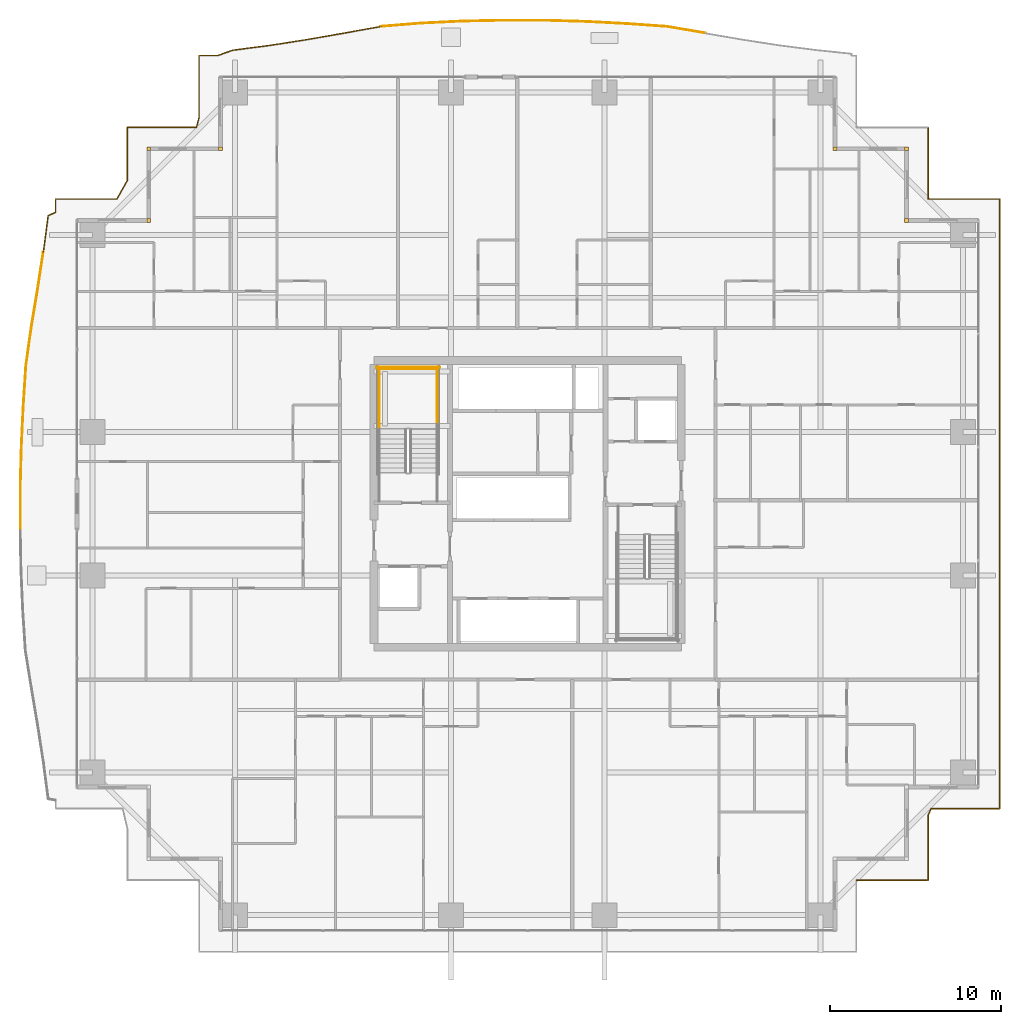
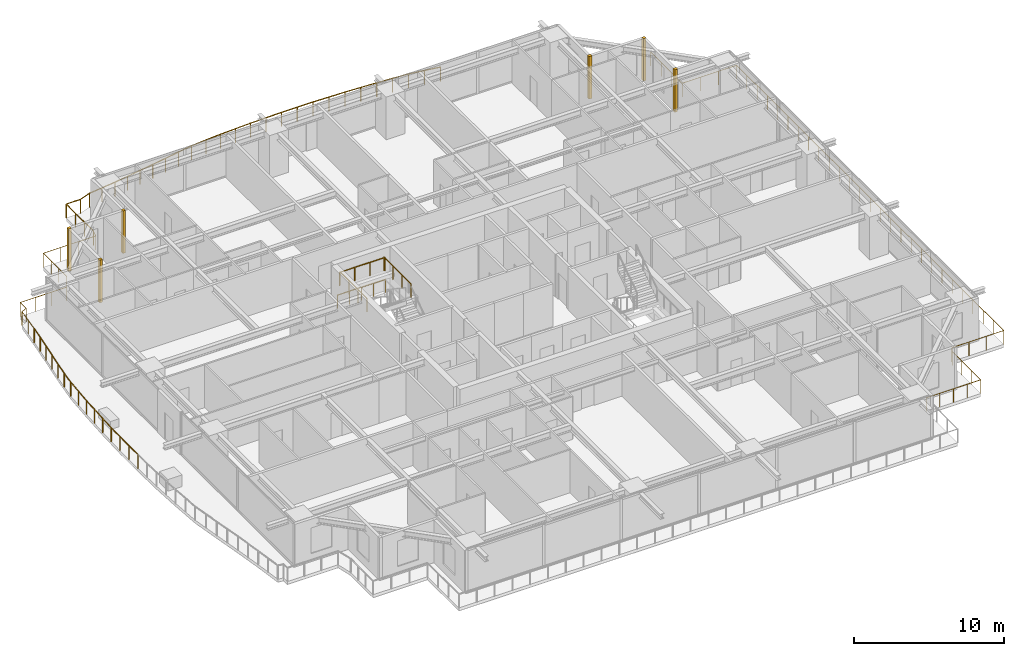
# One storey, part 33 of 34: 9 railings, 6 coverings.
"""IFC4 building model written with IfcOpenShell, lengths in metres."""

from ifc_helpers import new_model, si_unit, direction, frame, origin, origin_2d, place, context, subcontext, project, spatial, rectangle, circle, extrude, source, transform, mapped, material, layer, layer_set, type_object, element, save


model = new_model("IFC4")

# Units and contexts
model_context = context("Model", 3, precision=1e-05, world=origin(), true_north=direction((0.0, 1.0)))
body_context = subcontext(model_context, "Body", "Model", "MODEL_VIEW")
ifc_project = project(units=[si_unit("LENGTHUNIT", "METRE"), si_unit("AREAUNIT", "SQUARE_METRE"), si_unit("VOLUMEUNIT", "CUBIC_METRE"), si_unit("PLANEANGLEUNIT", "RADIAN"), si_unit("MASSUNIT", "GRAM", prefix="KILO")], contexts=[model_context])

# Site, building, storey
site_placement = place(None, origin())
site = spatial("IfcSite", under=ifc_project, at=site_placement, CompositionType="ELEMENT")
building_placement = place(site_placement, origin())
building = spatial("IfcBuilding", under=site, at=building_placement, Name="Serunith Strait Residences", CompositionType="ELEMENT")
storey_placement = place(building_placement, frame((0.0, 0.0, 101.699951171875)))
storey = spatial("IfcBuildingStorey", under=building, at=storey_placement, Name="L25", CompositionType="ELEMENT", Elevation=101.699951171875)

# Railings
ifc_material_1 = material(Name="Stainless Steel & Laminated Glass Balustrade", Category="steel")
railing_type_1 = type_object("IfcRailingType", Name="RLG-BALC-1150", PredefinedType="BALUSTRADE", material=ifc_material_1)
railing_1_placement = place(storey_placement, frame((2.679931640625, 23.764404296875, -0.050048828125)))
element("IfcRailing", 1, at=railing_1_placement, inside=storey, type_object=railing_type_1, Name="L25 Swirling Balcony Perimeter Balustrade 2", PredefinedType="BALUSTRADE", context=body_context, shape_type="SweptSolid", body=[
    extrude(circle(Radius=0.02392578125, at=origin_2d()), frame((0.0, 0.001953125, 1.1259765625), z_axis=(0.0, 1.0, 0.0), x_axis=(-1.0, 0.0, 0.0)), (0.0, 0.0, 1.0), 2.407470703125),
    extrude(circle(Radius=0.02392578125, at=origin_2d()), frame((0.0, 2.413330078125, 1.1259765625), z_axis=(0.026194543056, 0.999656864086, 0.0), x_axis=(-0.999656864086, 0.026194543056, 0.0)), (0.0, 0.0, 1.0), 2.400634765625),
    extrude(circle(Radius=0.02392578125, at=origin_2d()), frame((0.06298828125, 4.817138671875, 1.1259765625), z_axis=(0.047365867701, 0.998877607406, 0.0), x_axis=(-0.998877607406, 0.047365867701, 0.0)), (0.0, 0.0, 1.0), 2.382568359375),
    extrude(circle(Radius=0.02392578125, at=origin_2d()), frame((0.17626953125, 7.200927734375, 1.1259765625), z_axis=(0.064252649572, 0.997933663639, 0.0), x_axis=(-0.997933663639, 0.064252649572, 0.0)), (0.0, 0.0, 1.0), 2.355712890625),
    extrude(circle(Radius=0.02392578125, at=origin_2d()), frame((0.327880859375, 9.5556640625, 1.1259765625), z_axis=(0.139825900723, 0.99017610428, 0.0), x_axis=(-0.99017610428, 0.139825900723, 0.0)), (0.0, 0.0, 1.0), 2.28857421875),
    extrude(circle(Radius=0.02392578125, at=origin_2d()), frame((0.6484375, 11.82568359375, 1.1259765625), z_axis=(0.163777184622, 0.986497356204, 0.0), x_axis=(-0.986497356204, 0.163777184622, 0.0)), (0.0, 0.0, 1.0), 2.224609375),
    extrude(circle(Radius=0.02392578125, at=origin_2d()), frame((1.013427734375, 14.024169921875, 1.1259765625), z_axis=(0.150434867674, 0.988619922209, 0.0), x_axis=(-0.988619922209, 0.150434867674, 0.0)), (0.0, 0.0, 1.0), 2.1787109375),
    extrude(circle(Radius=0.02099609375, at=origin_2d()), origin(), (0.0, 0.0, 1.0), 1.099853515625),
    extrude(circle(Radius=0.02099609375, at=origin_2d()), frame((0.0, 1.20556640625, 0.0)), (0.0, 0.0, 1.0), 1.099853515625),
    extrude(circle(Radius=0.02099609375, at=origin_2d()), frame((0.0, 2.411376953125, 0.0)), (0.0, 0.0, 1.0), 1.099853515625),
    extrude(circle(Radius=0.02099609375, at=origin_2d()), frame((0.031494140625, 3.61328125, 0.0)), (0.0, 0.0, 1.0), 1.099853515625),
    extrude(circle(Radius=0.02099609375, at=origin_2d()), frame((0.06298828125, 4.815185546875, 0.0)), (0.0, 0.0, 1.0), 1.099853515625),
    extrude(circle(Radius=0.02099609375, at=origin_2d()), frame((0.11962890625, 6.007080078125, 0.0)), (0.0, 0.0, 1.0), 1.099853515625),
    extrude(circle(Radius=0.02099609375, at=origin_2d()), frame((0.176025390625, 7.198974609375, 0.0)), (0.0, 0.0, 1.0), 1.099853515625),
    extrude(circle(Radius=0.02099609375, at=origin_2d()), frame((0.251953125, 8.37646484375, 0.0)), (0.0, 0.0, 1.0), 1.099853515625),
    extrude(circle(Radius=0.02099609375, at=origin_2d()), frame((0.32763671875, 9.5537109375, 0.0)), (0.0, 0.0, 1.0), 1.099853515625),
    extrude(circle(Radius=0.02099609375, at=origin_2d()), frame((0.48779296875, 10.688720703125, 0.0)), (0.0, 0.0, 1.0), 1.099853515625),
    extrude(circle(Radius=0.02099609375, at=origin_2d()), frame((0.648193359375, 11.82373046875, 0.0)), (0.0, 0.0, 1.0), 1.099853515625),
    extrude(circle(Radius=0.02099609375, at=origin_2d()), frame((0.83056640625, 12.9228515625, 0.0)), (0.0, 0.0, 1.0), 1.099853515625),
    extrude(circle(Radius=0.02099609375, at=origin_2d()), frame((1.01318359375, 14.022216796875, 0.0)), (0.0, 0.0, 1.0), 1.099853515625),
    extrude(circle(Radius=0.02099609375, at=origin_2d()), frame((1.17724609375, 15.10107421875, 0.0)), (0.0, 0.0, 1.0), 1.099853515625),
    extrude(circle(Radius=0.02099609375, at=origin_2d()), frame((1.341552734375, 16.18017578125, 0.0)), (0.0, 0.0, 1.0), 1.099853515625),
])
railing_2_placement = place(storey_placement, frame((4.021484375, 39.944580078125, -0.050048828125)))
element("IfcRailing", 2, at=railing_2_placement, inside=storey, type_object=railing_type_1, Name="L25 Swirling Balcony Perimeter Balustrade 3", PredefinedType="BALUSTRADE", context=body_context, shape_type="SweptSolid", body=[
    extrude(circle(Radius=0.02392578125, at=origin_2d()), frame((0.000244140625, 0.001953125, 1.1259765625), z_axis=(0.129979199506, 0.991516720835, 0.0), x_axis=(-0.991516720835, 0.129979199506, 0.0)), (0.0, 0.0, 1.0), 2.1484375),
    extrude(circle(Radius=0.02392578125, at=origin_2d()), frame((0.281494140625, 2.135009765625, 1.1259765625), z_axis=(0.90860943569, 0.417646852465, 0.0), x_axis=(-0.417646852465, 0.90860943569, 0.0)), (0.0, 0.0, 1.0), 0.478759765625),
    extrude(circle(Radius=0.02392578125, at=origin_2d()), frame((0.718505859375, 2.337890625, 1.1259765625), z_axis=(0.0, 1.0, 0.0), x_axis=(-1.0, 0.0, 0.0)), (0.0, 0.0, 1.0), 0.775634765625),
    extrude(circle(Radius=0.02392578125, at=origin_2d()), frame((0.720458984375, 3.115478515625, 1.1259765625), z_axis=(1.0, 0.0, 0.0), x_axis=(0.0, 1.0, 0.0)), (0.0, 0.0, 1.0), 3.5859375),
    extrude(circle(Radius=0.02392578125, at=origin_2d()), frame((4.309326171875, 3.1171875, 1.1259765625), z_axis=(0.493944884084, 0.86949321532, 0.0), x_axis=(-0.86949321532, 0.493944884084, 0.0)), (0.0, 0.0, 1.0), 1.231201171875),
    extrude(circle(Radius=0.02392578125, at=origin_2d()), frame((4.91845703125, 4.19140625, 1.1259765625), z_axis=(0.0, 1.0, 0.0), x_axis=(-1.0, 0.0, 0.0)), (0.0, 0.0, 1.0), 3.1220703125),
    extrude(circle(Radius=0.02392578125, at=origin_2d()), frame((4.92041015625, 7.3154296875, 1.1259765625), z_axis=(1.0, 0.0, 0.0), x_axis=(0.0, 1.0, 0.0)), (0.0, 0.0, 1.0), 4.049560546875),
    extrude(circle(Radius=0.02392578125, at=origin_2d()), frame((8.972412109375, 7.3173828125, 1.1259765625), z_axis=(0.254806843547, 0.96699197126, 0.0), x_axis=(-0.96699197126, 0.254806843547, 0.0)), (0.0, 0.0, 1.0), 0.57080078125),
    extrude(circle(Radius=0.02099609375, at=origin_2d()), origin(), (0.0, 0.0, 1.0), 1.099853515625),
    extrude(circle(Radius=0.02099609375, at=origin_2d()), frame((0.139892578125, 1.067138671875, 0.0)), (0.0, 0.0, 1.0), 1.099853515625),
    extrude(circle(Radius=0.02099609375, at=origin_2d()), frame((0.27978515625, 2.13427734375, 0.0)), (0.0, 0.0, 1.0), 1.099853515625),
    extrude(circle(Radius=0.02099609375, at=origin_2d()), frame((0.718505859375, 2.3359375, 0.0)), (0.0, 0.0, 1.0), 1.099853515625),
    extrude(circle(Radius=0.02099609375, at=origin_2d()), frame((0.718505859375, 3.115478515625, 0.0)), (0.0, 0.0, 1.0), 1.099853515625),
    extrude(circle(Radius=0.02099609375, at=origin_2d()), frame((1.9150390625, 3.115478515625, 0.0)), (0.0, 0.0, 1.0), 1.099853515625),
    extrude(circle(Radius=0.02099609375, at=origin_2d()), frame((3.11181640625, 3.115478515625, 0.0)), (0.0, 0.0, 1.0), 1.099853515625),
    extrude(circle(Radius=0.02099609375, at=origin_2d()), frame((4.308349609375, 3.115478515625, 0.0)), (0.0, 0.0, 1.0), 1.099853515625),
    extrude(circle(Radius=0.02099609375, at=origin_2d()), frame((4.91845703125, 4.189453125, 0.0)), (0.0, 0.0, 1.0), 1.099853515625),
    extrude(circle(Radius=0.02099609375, at=origin_2d()), frame((4.91845703125, 5.2314453125, 0.0)), (0.0, 0.0, 1.0), 1.099853515625),
    extrude(circle(Radius=0.02099609375, at=origin_2d()), frame((4.91845703125, 6.2734375, 0.0)), (0.0, 0.0, 1.0), 1.099853515625),
    extrude(circle(Radius=0.02099609375, at=origin_2d()), frame((4.91845703125, 7.3154296875, 0.0)), (0.0, 0.0, 1.0), 1.099853515625),
    extrude(circle(Radius=0.02099609375, at=origin_2d()), frame((6.26953125, 7.3154296875, 0.0)), (0.0, 0.0, 1.0), 1.099853515625),
    extrude(circle(Radius=0.02099609375, at=origin_2d()), frame((7.620849609375, 7.3154296875, 0.0)), (0.0, 0.0, 1.0), 1.099853515625),
    extrude(circle(Radius=0.02099609375, at=origin_2d()), frame((8.971923828125, 7.3154296875, 0.0)), (0.0, 0.0, 1.0), 1.099853515625),
    extrude(circle(Radius=0.02099609375, at=origin_2d()), frame((9.118408203125, 7.871337890625, 0.0)), (0.0, 0.0, 1.0), 1.099853515625),
])
railing_3_placement = place(storey_placement, frame((13.139892578125, 47.81591796875, -0.050048828125)))
element("IfcRailing", 3, at=railing_3_placement, inside=storey, type_object=railing_type_1, Name="L25 Swirling Balcony Perimeter Balustrade 4", PredefinedType="BALUSTRADE", context=body_context, shape_type="SweptSolid", body=[
    extrude(circle(Radius=0.02392578125, at=origin_2d()), frame((0.0, 0.001953125, 1.1259765625), z_axis=(0.0, 1.0, 0.0), x_axis=(-1.0, 0.0, 0.0)), (0.0, 0.0, 1.0), 3.64013671875),
    extrude(circle(Radius=0.02392578125, at=origin_2d()), frame((0.001953125, 3.64404296875, 1.1259765625), z_axis=(1.0, 0.0, 0.0), x_axis=(0.0, 1.0, 0.0)), (0.0, 0.0, 1.0), 1.09228515625),
    extrude(circle(Radius=0.02392578125, at=origin_2d()), frame((1.09814453125, 3.644775390625, 1.1259765625), z_axis=(0.940605267412, 0.339502181019, 0.0), x_axis=(-0.339502181019, 0.940605267412, 0.0)), (0.0, 0.0, 1.0), 0.923583984375),
    extrude(circle(Radius=0.02392578125, at=origin_2d()), frame((1.970703125, 3.959228515625, 1.1259765625), z_axis=(0.99175308382, 0.128163258128, 0.0), x_axis=(-0.128163258128, 0.99175308382, 0.0)), (0.0, 0.0, 1.0), 2.13525390625),
    extrude(circle(Radius=0.02392578125, at=origin_2d()), frame((4.09228515625, 4.2333984375, 1.1259765625), z_axis=(0.988168898072, 0.153369582652, 0.0), x_axis=(-0.153369582652, 0.988168898072, 0.0)), (0.0, 0.0, 1.0), 2.16259765625),
    extrude(circle(Radius=0.02392578125, at=origin_2d()), frame((6.233154296875, 4.565673828125, 1.1259765625), z_axis=(0.985099739557, 0.171984019972, 0.0), x_axis=(-0.171984019972, 0.985099739557, 0.0)), (0.0, 0.0, 1.0), 2.207763671875),
    extrude(circle(Radius=0.02392578125, at=origin_2d()), frame((8.411865234375, 4.946044921875, 1.1259765625), z_axis=(0.984230477624, 0.176890833331, 0.0), x_axis=(-0.176890833331, 0.984230477624, 0.0)), (0.0, 0.0, 1.0), 2.26904296875),
    extrude(circle(Radius=0.02099609375, at=origin_2d()), origin(), (0.0, 0.0, 1.0), 1.099853515625),
    extrude(circle(Radius=0.02099609375, at=origin_2d()), frame((0.0, 1.214599609375, 0.0)), (0.0, 0.0, 1.0), 1.099853515625),
    extrude(circle(Radius=0.02099609375, at=origin_2d()), frame((0.0, 2.429443359375, 0.0)), (0.0, 0.0, 1.0), 1.099853515625),
    extrude(circle(Radius=0.02099609375, at=origin_2d()), frame((0.0, 3.64404296875, 0.0)), (0.0, 0.0, 1.0), 1.099853515625),
    extrude(circle(Radius=0.02099609375, at=origin_2d()), frame((1.09619140625, 3.64404296875, 0.0)), (0.0, 0.0, 1.0), 1.099853515625),
    extrude(circle(Radius=0.02099609375, at=origin_2d()), frame((1.96875, 3.958984375, 0.0)), (0.0, 0.0, 1.0), 1.099853515625),
    extrude(circle(Radius=0.02099609375, at=origin_2d()), frame((3.029541015625, 4.09619140625, 0.0)), (0.0, 0.0, 1.0), 1.099853515625),
    extrude(circle(Radius=0.02099609375, at=origin_2d()), frame((4.09033203125, 4.233154296875, 0.0)), (0.0, 0.0, 1.0), 1.099853515625),
    extrude(circle(Radius=0.02099609375, at=origin_2d()), frame((5.16064453125, 4.3994140625, 0.0)), (0.0, 0.0, 1.0), 1.099853515625),
    extrude(circle(Radius=0.02099609375, at=origin_2d()), frame((6.231201171875, 4.5654296875, 0.0)), (0.0, 0.0, 1.0), 1.099853515625),
    extrude(circle(Radius=0.02099609375, at=origin_2d()), frame((7.320556640625, 4.755615234375, 0.0)), (0.0, 0.0, 1.0), 1.099853515625),
    extrude(circle(Radius=0.02099609375, at=origin_2d()), frame((8.409912109375, 4.94580078125, 0.0)), (0.0, 0.0, 1.0), 1.099853515625),
    extrude(circle(Radius=0.02099609375, at=origin_2d()), frame((9.528564453125, 5.14697265625, 0.0)), (0.0, 0.0, 1.0), 1.099853515625),
    extrude(circle(Radius=0.02099609375, at=origin_2d()), frame((10.647216796875, 5.347900390625, 0.0)), (0.0, 0.0, 1.0), 1.099853515625),
])
railing_4_placement = place(storey_placement, frame((23.787109375, 53.163818359375, -0.050048828125)))
element("IfcRailing", 4, at=railing_4_placement, inside=storey, type_object=railing_type_1, Name="L25 Swirling Balcony Perimeter Balustrade 5", PredefinedType="BALUSTRADE", context=body_context, shape_type="SweptSolid", body=[
    extrude(circle(Radius=0.02392578125, at=origin_2d()), frame((0.001953125, 0.000244140625, 1.1259765625), z_axis=(0.996783968123, 0.080135640591, 0.0), x_axis=(-0.080135640591, 0.996783968123, 0.0)), (0.0, 0.0, 1.0), 2.357177734375),
    extrude(circle(Radius=0.02392578125, at=origin_2d()), frame((2.35546875, 0.189208984375, 1.1259765625), z_axis=(0.998810780045, 0.048754750193, 0.0), x_axis=(-0.048754750193, 0.998810780045, 0.0)), (0.0, 0.0, 1.0), 2.39453125),
    extrude(circle(Radius=0.02392578125, at=origin_2d()), frame((4.751220703125, 0.30615234375, 1.1259765625), z_axis=(0.999786023382, 0.02068592398, 0.0), x_axis=(-0.02068592398, 0.999786023382, 0.0)), (0.0, 0.0, 1.0), 2.41552734375),
    extrude(circle(Radius=0.02392578125, at=origin_2d()), frame((7.170166015625, 0.356201171875, 1.1259765625), z_axis=(1.0, 0.0, 0.0), x_axis=(0.0, 1.0, 0.0)), (0.0, 0.0, 1.0), 2.422607421875),
    extrude(circle(Radius=0.02392578125, at=origin_2d()), frame((9.5966796875, 0.356201171875, 1.1259765625), z_axis=(0.999580227069, -0.028971876911, 0.0), x_axis=(0.028971876911, 0.999580227069, 0.0)), (0.0, 0.0, 1.0), 2.41455078125),
    extrude(circle(Radius=0.02392578125, at=origin_2d()), frame((12.01416015625, 0.2861328125, 1.1259765625), z_axis=(0.99865609524, -0.051826667259, 0.0), x_axis=(0.051826667259, 0.99865609524, 0.0)), (0.0, 0.0, 1.0), 2.393798828125),
    extrude(circle(Radius=0.02392578125, at=origin_2d()), frame((14.40869140625, 0.16162109375, 1.1259765625), z_axis=(0.997559254514, -0.069825022261, 0.0), x_axis=(0.069825022261, 0.997559254514, 0.0)), (0.0, 0.0, 1.0), 2.363037109375),
    extrude(circle(Radius=0.02392578125, at=origin_2d()), frame((16.77001953125, -0.003662109375, 1.1259765625), z_axis=(0.986009826898, -0.166687195851, 0.0), x_axis=(0.166687195851, 0.986009826898, 0.0)), (0.0, 0.0, 1.0), 2.279296875),
    extrude(circle(Radius=0.02099609375, at=origin_2d()), origin(), (0.0, 0.0, 1.0), 1.099853515625),
    extrude(circle(Radius=0.02099609375, at=origin_2d()), frame((1.1767578125, 0.0947265625, 0.0)), (0.0, 0.0, 1.0), 1.099853515625),
    extrude(circle(Radius=0.02099609375, at=origin_2d()), frame((2.353515625, 0.189208984375, 0.0)), (0.0, 0.0, 1.0), 1.099853515625),
    extrude(circle(Radius=0.02099609375, at=origin_2d()), frame((3.55126953125, 0.24755859375, 0.0)), (0.0, 0.0, 1.0), 1.099853515625),
    extrude(circle(Radius=0.02099609375, at=origin_2d()), frame((4.749267578125, 0.30615234375, 0.0)), (0.0, 0.0, 1.0), 1.099853515625),
    extrude(circle(Radius=0.02099609375, at=origin_2d()), frame((5.958740234375, 0.3310546875, 0.0)), (0.0, 0.0, 1.0), 1.099853515625),
    extrude(circle(Radius=0.02099609375, at=origin_2d()), frame((7.168212890625, 0.356201171875, 0.0)), (0.0, 0.0, 1.0), 1.099853515625),
    extrude(circle(Radius=0.02099609375, at=origin_2d()), frame((8.38134765625, 0.356201171875, 0.0)), (0.0, 0.0, 1.0), 1.099853515625),
    extrude(circle(Radius=0.02099609375, at=origin_2d()), frame((9.5947265625, 0.356201171875, 0.0)), (0.0, 0.0, 1.0), 1.099853515625),
    extrude(circle(Radius=0.02099609375, at=origin_2d()), frame((10.803466796875, 0.3212890625, 0.0)), (0.0, 0.0, 1.0), 1.099853515625),
    extrude(circle(Radius=0.02099609375, at=origin_2d()), frame((12.01220703125, 0.2861328125, 0.0)), (0.0, 0.0, 1.0), 1.099853515625),
    extrude(circle(Radius=0.02099609375, at=origin_2d()), frame((13.20947265625, 0.22412109375, 0.0)), (0.0, 0.0, 1.0), 1.099853515625),
    extrude(circle(Radius=0.02099609375, at=origin_2d()), frame((14.40673828125, 0.161865234375, 0.0)), (0.0, 0.0, 1.0), 1.099853515625),
    extrude(circle(Radius=0.02099609375, at=origin_2d()), frame((15.58740234375, 0.0791015625, 0.0)), (0.0, 0.0, 1.0), 1.099853515625),
    extrude(circle(Radius=0.02099609375, at=origin_2d()), frame((16.76806640625, -0.00341796875, 0.0)), (0.0, 0.0, 1.0), 1.099853515625),
    extrude(circle(Radius=0.02099609375, at=origin_2d()), frame((17.893798828125, -0.19384765625, 0.0)), (0.0, 0.0, 1.0), 1.099853515625),
    extrude(circle(Radius=0.02099609375, at=origin_2d()), frame((19.01953125, -0.384033203125, 0.0)), (0.0, 0.0, 1.0), 1.099853515625),
])
railing_5_placement = place(storey_placement, frame((55.860107421875, 47.260009765625, -0.050048828125)))
element("IfcRailing", 5, at=railing_5_placement, inside=storey, type_object=railing_type_1, Name="L25 Swirling Balcony Perimeter Balustrade 7", PredefinedType="BALUSTRADE", context=body_context, shape_type="SweptSolid", body=[
    extrude(circle(Radius=0.02392578125, at=origin_2d()), frame((0.0, -0.001953125, 1.1259765625), z_axis=(0.0, -1.0, 0.0), x_axis=(1.0, 0.0, 0.0)), (0.0, 0.0, 1.0), 4.196044921875),
    extrude(circle(Radius=0.02392578125, at=origin_2d()), frame((0.001953125, -4.199951171875, 1.1259765625), z_axis=(1.0, 0.0, 0.0), x_axis=(0.0, 1.0, 0.0)), (0.0, 0.0, 1.0), 4.196044921875),
    extrude(circle(Radius=0.02392578125, at=origin_2d()), frame((4.199951171875, -4.201904296875, 1.1259765625), z_axis=(0.0, -1.0, 0.0), x_axis=(1.0, 0.0, 0.0)), (0.0, 0.0, 1.0), 35.716064453125),
    extrude(circle(Radius=0.02392578125, at=origin_2d()), frame((4.197998046875, -39.919921875, 1.1259765625), z_axis=(-1.0, 0.0, 0.0), x_axis=(0.0, -1.0, 0.0)), (0.0, 0.0, 1.0), 4.014892578125),
    extrude(circle(Radius=0.02392578125, at=origin_2d()), frame((0.180419921875, -39.921630859375, 1.1259765625), z_axis=(-0.414518347731, -0.91004095479, 0.0), x_axis=(0.91004095479, -0.414518347731, 0.0)), (0.0, 0.0, 1.0), 0.43310546875),
    extrude(circle(Radius=0.02392578125, at=origin_2d()), frame((0.0, -40.319580078125, 1.1259765625), z_axis=(0.0, -1.0, 0.0), x_axis=(1.0, 0.0, 0.0)), (0.0, 0.0, 1.0), 3.798583984375),
    extrude(circle(Radius=0.02392578125, at=origin_2d()), frame((-0.001953125, -44.1201171875, 1.1259765625), z_axis=(-1.0, 0.0, 0.0), x_axis=(0.0, -1.0, 0.0)), (0.0, 0.0, 1.0), 4.1962890625),
    extrude(circle(Radius=0.02099609375, at=origin_2d()), origin(), (0.0, 0.0, 1.0), 1.099853515625),
    extrude(circle(Radius=0.02099609375, at=origin_2d()), frame((0.0, -1.39990234375, 0.0)), (0.0, 0.0, 1.0), 1.099853515625),
    extrude(circle(Radius=0.02099609375, at=origin_2d()), frame((0.0, -2.800048828125, 0.0)), (0.0, 0.0, 1.0), 1.099853515625),
    extrude(circle(Radius=0.02099609375, at=origin_2d()), frame((0.0, -4.199951171875, 0.0)), (0.0, 0.0, 1.0), 1.099853515625),
    extrude(circle(Radius=0.02099609375, at=origin_2d()), frame((1.39990234375, -4.199951171875, 0.0)), (0.0, 0.0, 1.0), 1.099853515625),
    extrude(circle(Radius=0.02099609375, at=origin_2d()), frame((2.800048828125, -4.199951171875, 0.0)), (0.0, 0.0, 1.0), 1.099853515625),
    extrude(circle(Radius=0.02099609375, at=origin_2d()), frame((4.199951171875, -4.199951171875, 0.0)), (0.0, 0.0, 1.0), 1.099853515625),
    extrude(circle(Radius=0.02099609375, at=origin_2d()), frame((4.199951171875, -5.57373046875, 0.0)), (0.0, 0.0, 1.0), 1.099853515625),
    extrude(circle(Radius=0.02099609375, at=origin_2d()), frame((4.199951171875, -6.94775390625, 0.0)), (0.0, 0.0, 1.0), 1.099853515625),
    extrude(circle(Radius=0.02099609375, at=origin_2d()), frame((4.199951171875, -8.321533203125, 0.0)), (0.0, 0.0, 1.0), 1.099853515625),
    extrude(circle(Radius=0.02099609375, at=origin_2d()), frame((4.199951171875, -9.6953125, 0.0)), (0.0, 0.0, 1.0), 1.099853515625),
    extrude(circle(Radius=0.02099609375, at=origin_2d()), frame((4.199951171875, -11.069091796875, 0.0)), (0.0, 0.0, 1.0), 1.099853515625),
    extrude(circle(Radius=0.02099609375, at=origin_2d()), frame((4.199951171875, -12.443115234375, 0.0)), (0.0, 0.0, 1.0), 1.099853515625),
    extrude(circle(Radius=0.02099609375, at=origin_2d()), frame((4.199951171875, -13.81689453125, 0.0)), (0.0, 0.0, 1.0), 1.099853515625),
    extrude(circle(Radius=0.02099609375, at=origin_2d()), frame((4.199951171875, -15.190673828125, 0.0)), (0.0, 0.0, 1.0), 1.099853515625),
    extrude(circle(Radius=0.02099609375, at=origin_2d()), frame((4.199951171875, -16.564453125, 0.0)), (0.0, 0.0, 1.0), 1.099853515625),
    extrude(circle(Radius=0.02099609375, at=origin_2d()), frame((4.199951171875, -17.9384765625, 0.0)), (0.0, 0.0, 1.0), 1.099853515625),
    extrude(circle(Radius=0.02099609375, at=origin_2d()), frame((4.199951171875, -19.312255859375, 0.0)), (0.0, 0.0, 1.0), 1.099853515625),
    extrude(circle(Radius=0.02099609375, at=origin_2d()), frame((4.199951171875, -20.68603515625, 0.0)), (0.0, 0.0, 1.0), 1.099853515625),
    extrude(circle(Radius=0.02099609375, at=origin_2d()), frame((4.199951171875, -22.06005859375, 0.0)), (0.0, 0.0, 1.0), 1.099853515625),
    extrude(circle(Radius=0.02099609375, at=origin_2d()), frame((4.199951171875, -23.433837890625, 0.0)), (0.0, 0.0, 1.0), 1.099853515625),
    extrude(circle(Radius=0.02099609375, at=origin_2d()), frame((4.199951171875, -24.8076171875, 0.0)), (0.0, 0.0, 1.0), 1.099853515625),
    extrude(circle(Radius=0.02099609375, at=origin_2d()), frame((4.199951171875, -26.181396484375, 0.0)), (0.0, 0.0, 1.0), 1.099853515625),
    extrude(circle(Radius=0.02099609375, at=origin_2d()), frame((4.199951171875, -27.555419921875, 0.0)), (0.0, 0.0, 1.0), 1.099853515625),
    extrude(circle(Radius=0.02099609375, at=origin_2d()), frame((4.199951171875, -28.92919921875, 0.0)), (0.0, 0.0, 1.0), 1.099853515625),
    extrude(circle(Radius=0.02099609375, at=origin_2d()), frame((4.199951171875, -30.302978515625, 0.0)), (0.0, 0.0, 1.0), 1.099853515625),
    extrude(circle(Radius=0.02099609375, at=origin_2d()), frame((4.199951171875, -31.6767578125, 0.0)), (0.0, 0.0, 1.0), 1.099853515625),
    extrude(circle(Radius=0.02099609375, at=origin_2d()), frame((4.199951171875, -33.05078125, 0.0)), (0.0, 0.0, 1.0), 1.099853515625),
    extrude(circle(Radius=0.02099609375, at=origin_2d()), frame((4.199951171875, -34.424560546875, 0.0)), (0.0, 0.0, 1.0), 1.099853515625),
    extrude(circle(Radius=0.02099609375, at=origin_2d()), frame((4.199951171875, -35.79833984375, 0.0)), (0.0, 0.0, 1.0), 1.099853515625),
    extrude(circle(Radius=0.02099609375, at=origin_2d()), frame((4.199951171875, -37.172119140625, 0.0)), (0.0, 0.0, 1.0), 1.099853515625),
    extrude(circle(Radius=0.02099609375, at=origin_2d()), frame((4.199951171875, -38.546142578125, 0.0)), (0.0, 0.0, 1.0), 1.099853515625),
    extrude(circle(Radius=0.02099609375, at=origin_2d()), frame((4.199951171875, -39.919921875, 0.0)), (0.0, 0.0, 1.0), 1.099853515625),
    extrude(circle(Radius=0.02099609375, at=origin_2d()), frame((2.8603515625, -39.919921875, 0.0)), (0.0, 0.0, 1.0), 1.099853515625),
    extrude(circle(Radius=0.02099609375, at=origin_2d()), frame((1.520751953125, -39.919921875, 0.0)), (0.0, 0.0, 1.0), 1.099853515625),
    extrude(circle(Radius=0.02099609375, at=origin_2d()), frame((0.18115234375, -39.919921875, 0.0)), (0.0, 0.0, 1.0), 1.099853515625),
    extrude(circle(Radius=0.02099609375, at=origin_2d()), frame((0.0, -40.317626953125, 0.0)), (0.0, 0.0, 1.0), 1.099853515625),
    extrude(circle(Radius=0.02099609375, at=origin_2d()), frame((0.0, -41.585205078125, 0.0)), (0.0, 0.0, 1.0), 1.099853515625),
    extrude(circle(Radius=0.02099609375, at=origin_2d()), frame((0.0, -42.8525390625, 0.0)), (0.0, 0.0, 1.0), 1.099853515625),
    extrude(circle(Radius=0.02099609375, at=origin_2d()), frame((0.0, -44.1201171875, 0.0)), (0.0, 0.0, 1.0), 1.099853515625),
    extrude(circle(Radius=0.02099609375, at=origin_2d()), frame((-1.050048828125, -44.1201171875, 0.0)), (0.0, 0.0, 1.0), 1.099853515625),
    extrude(circle(Radius=0.02099609375, at=origin_2d()), frame((-2.10009765625, -44.1201171875, 0.0)), (0.0, 0.0, 1.0), 1.099853515625),
    extrude(circle(Radius=0.02099609375, at=origin_2d()), frame((-3.150146484375, -44.1201171875, 0.0)), (0.0, 0.0, 1.0), 1.099853515625),
    extrude(circle(Radius=0.02099609375, at=origin_2d()), frame((-4.2001953125, -44.1201171875, 0.0)), (0.0, 0.0, 1.0), 1.099853515625),
])
ifc_material_2 = material(Name="Brushed stainless steel 316L", Category="steel")
railing_type_2 = type_object("IfcRailingType", Name="RLG-STAIR-GUARD", PredefinedType="BALUSTRADE", material=ifc_material_2)
for number, where, name in (
    (6, (27.10009765625, 29.550048828125, 1.875), "L25 ST-1 stair guard 3"),
    (7, (23.699951171875, 29.550048828125, 1.875), "L25 ST-1 stair guard 4"),
):
    element("IfcRailing", number, at=place(storey_placement, frame(where)), inside=storey, type_object=railing_type_2, Name=name, PredefinedType="BALUSTRADE", context=body_context, shape_type="SweptSolid", body=[
        extrude(circle(Radius=0.02392578125, at=origin_2d()), frame((0.0, 0.001953125, 1.076171875), z_axis=(0.0, 1.0, 0.0), x_axis=(-1.0, 0.0, 0.0)), (0.0, 0.0, 1.0), 3.595947265625),
        extrude(circle(Radius=0.02099609375, at=origin_2d()), origin(), (0.0, 0.0, 1.0), 1.050048828125),
        extrude(circle(Radius=0.02099609375, at=origin_2d()), frame((0.0, 1.199951171875, 0.0)), (0.0, 0.0, 1.0), 1.050048828125),
        extrude(circle(Radius=0.02099609375, at=origin_2d()), frame((0.0, 2.39990234375, 0.0)), (0.0, 0.0, 1.0), 1.050048828125),
        extrude(circle(Radius=0.02099609375, at=origin_2d()), frame((0.0, 3.599853515625, 0.0)), (0.0, 0.0, 1.0), 1.050048828125),
    ])
railing_6_placement = place(storey_placement, frame((27.14990234375, 33.10009765625, 1.875)))
element("IfcRailing", 8, at=railing_6_placement, inside=storey, type_object=railing_type_2, Name="L25 ST-1 stair guard 5", PredefinedType="BALUSTRADE", context=body_context, shape_type="SweptSolid", body=[
    extrude(circle(Radius=0.02392578125, at=origin_2d()), frame((-0.001953125, 0.0, 1.076171875), z_axis=(-1.0, 0.0, 0.0), x_axis=(0.0, -1.0, 0.0)), (0.0, 0.0, 1.0), 3.49609375),
    extrude(circle(Radius=0.02099609375, at=origin_2d()), origin(), (0.0, 0.0, 1.0), 1.050048828125),
    extrude(circle(Radius=0.02099609375, at=origin_2d()), frame((-1.166748046875, 0.0, 0.0)), (0.0, 0.0, 1.0), 1.050048828125),
    extrude(circle(Radius=0.02099609375, at=origin_2d()), frame((-2.333251953125, 0.0, 0.0)), (0.0, 0.0, 1.0), 1.050048828125),
    extrude(circle(Radius=0.02099609375, at=origin_2d()), frame((-3.5, 0.0, 0.0)), (0.0, 0.0, 1.0), 1.050048828125),
])
railing_7_placement = place(storey_placement, frame((27.25, 33.199951171875, 0.0)))
element("IfcRailing", 9, at=railing_7_placement, inside=storey, type_object=railing_type_2, Name="L25 ST-1 stair guard 12", PredefinedType="BALUSTRADE", context=body_context, shape_type="SweptSolid", body=[
    extrude(circle(Radius=0.02392578125, at=origin_2d()), frame((-0.001953125, 0.0, 1.076171875), z_axis=(-1.0, 0.0, 0.0), x_axis=(0.0, -1.0, 0.0)), (0.0, 0.0, 1.0), 3.696044921875),
    extrude(circle(Radius=0.02099609375, at=origin_2d()), origin(), (0.0, 0.0, 1.0), 1.050048828125),
    extrude(circle(Radius=0.02099609375, at=origin_2d()), frame((-0.925048828125, 0.0, 0.0)), (0.0, 0.0, 1.0), 1.050048828125),
    extrude(circle(Radius=0.02099609375, at=origin_2d()), frame((-1.85009765625, 0.0, 0.0)), (0.0, 0.0, 1.0), 1.050048828125),
    extrude(circle(Radius=0.02099609375, at=origin_2d()), frame((-2.77490234375, 0.0, 0.0)), (0.0, 0.0, 1.0), 1.050048828125),
    extrude(circle(Radius=0.02099609375, at=origin_2d()), frame((-3.699951171875, 0.0, 0.0)), (0.0, 0.0, 1.0), 1.050048828125),
])

# Coverings
ifc_material_3 = material(Name="Pale-Champagne Anodised Aluminium", Category="aluminium")
ifc_layer = layer(ifc_material_3, 0.219970703125, Name="Pale-Champagne Anodised Aluminium")
ifc_layer_set = layer_set([ifc_layer], Name="Pale-Champagne Anodised Aluminium")
covering_type = type_object("IfcCoveringType", Name="COV-CORN-TRIM", PredefinedType="CLADDING", material=ifc_layer_set)
shared_shape = source(origin(), body_context, "Body", "SweptSolid", [
    extrude(rectangle(XDim=0.221923828125, YDim=0.221923828125, at=origin_2d()), origin(), (0.0, 0.0, 1.0), 3.47509765625),
])
for number, where, z_axis, x_axis, name in (
    (10, (54.60009765625, 41.800048828125, 0.0), (0.0, 0.0, 1.0), (1.0, 0.0, 0.0), "L25 Girih Serrated Corner Trim Post 07"),
    (11, (54.60009765625, 46.0, 0.0), (0.0, 0.0, 1.0), (1.0, 0.0, 0.0), "L25 Girih Serrated Corner Trim Post 08"),
    (12, (50.39990234375, 46.0, 0.0), (0.0, 0.0, 1.0), (1.0, 0.0, 0.0), "L25 Girih Serrated Corner Trim Post 09"),
    (13, (14.39990234375, 46.0, 0.0), (0.0, 0.0, 1.0), (1.0, 0.0, 0.0), "L25 Girih Serrated Corner Trim Post 12"),
    (14, (10.199951171875, 46.0, 0.0), (0.0, 0.0, 1.0), (1.0, 0.0, 0.0), "L25 Girih Serrated Corner Trim Post 13"),
    (15, (10.199951171875, 41.800048828125, 0.0), (0.0, 0.0, 1.0), (1.0, 0.0, 0.0), "L25 Girih Serrated Corner Trim Post 14"),
):
    element("IfcCovering", number, at=place(storey_placement, frame(where, z_axis=z_axis, x_axis=x_axis)), inside=storey, type_object=covering_type, Name=name, PredefinedType="CLADDING", context=body_context, shape_type="MappedRepresentation", body=[
        mapped(shared_shape, transform((0.0, 0.0, 0.0), scale=1.0)),
    ])

save(model, "model.ifc")
